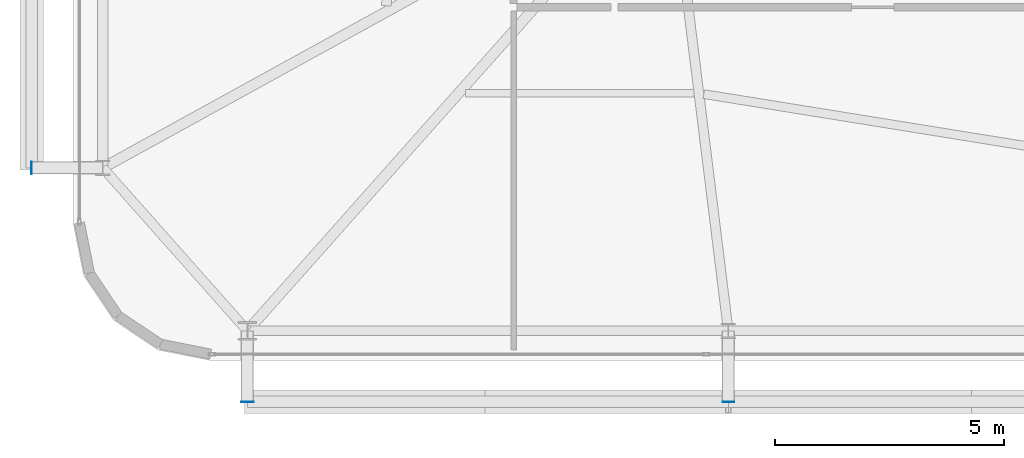
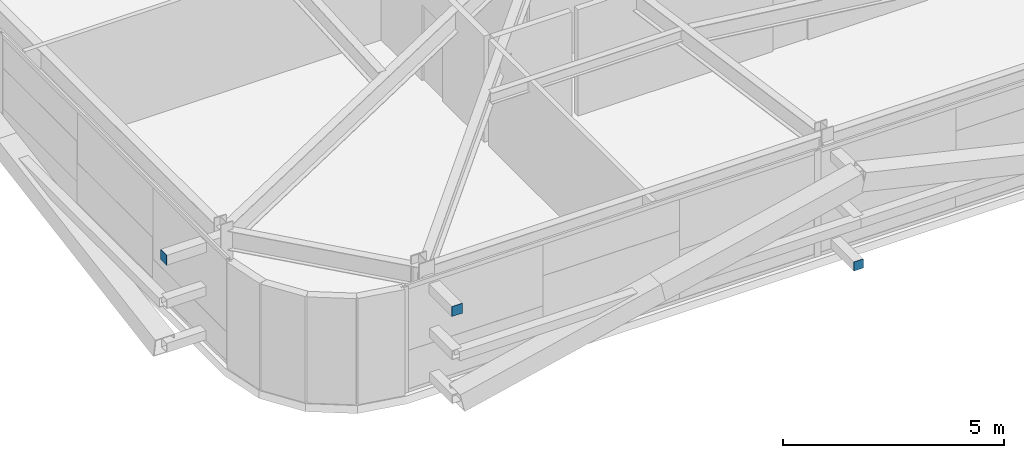
# One storey, part 31 of 44: 3 plates.
"""IFC4 building model written with IfcOpenShell, lengths in metres."""

import ifcopenshell
import ifcopenshell.guid

model = None  # the IFC model being written
_history = None  # IfcOwnerHistory: only IFC2X3 demands one
_inside = {}  # id of a spatial element -> (the spatial element, [elements in it])
_under = {}  # id of a project, library or spatial element -> (it, [spatial elements below it])
_declared = {}  # id of a project -> (the project, [libraries it declares])
_typed = {}  # id of a type object -> (the type object, [elements of that type])
_made_of = {}  # id of a material, layer set ... -> (it, [elements and type objects made of it])


def new_model(schema):
    """Start an empty IFC model of exactly this schema.

    Asked for "IFC4X3", IfcOpenShell would pick the latest addendum, in which some entities
    have other attributes; the version numbers below select the first issue.
    IFC2X3 requires an IfcOwnerHistory on every rooted entity: one is made here for all.
    """
    global model, _history
    if schema == "IFC4X3":
        model = ifcopenshell.file(schema_version=(4, 3, 0, 0))
    else:
        model = ifcopenshell.file(schema=schema)
    _inside.clear()
    _under.clear()
    _declared.clear()
    _typed.clear()
    _made_of.clear()
    _history = None
    if model.schema == "IFC2X3":
        org = make("IfcOrganization", Name="unknown")
        user = make(
            "IfcPersonAndOrganization",
            ThePerson=make("IfcPerson", FamilyName="unknown"),
            TheOrganization=org,
        )
        app = make(
            "IfcApplication",
            ApplicationDeveloper=org,
            Version="unknown",
            ApplicationFullName="unknown",
            ApplicationIdentifier="unknown",
        )
        _history = make(
            "IfcOwnerHistory",
            OwningUser=user,
            OwningApplication=app,
            ChangeAction="ADDED",
            CreationDate=0,
        )
    return model


def make(cls, **values):
    """One entity of the class cls with the attributes given. An attribute that is None is left unset."""
    return model.create_entity(
        cls, **{name: value for name, value in values.items() if value is not None}
    )


def rooted(cls, **values):
    """An entity with a GlobalId (a new one), such as an element, a storey or a relation."""
    return make(cls, GlobalId=ifcopenshell.guid.new(), OwnerHistory=_history, **values)


def si_unit(unit_type, name, prefix=None):
    """IfcSIUnit, for example si_unit("LENGTHUNIT", "METRE", prefix="MILLI")."""
    return make("IfcSIUnit", UnitType=unit_type, Prefix=prefix, Name=name)


def assignment(units):
    """IfcUnitAssignment: the units of a project."""
    return None if units is None else make("IfcUnitAssignment", Units=units)


def point(xyz):
    """IfcCartesianPoint."""
    return None if xyz is None else make("IfcCartesianPoint", Coordinates=xyz)


def direction(xyz):
    """IfcDirection."""
    return None if xyz is None else make("IfcDirection", DirectionRatios=xyz)


def frame(location, z_axis=None, x_axis=None):
    """IfcAxis2Placement3D, a coordinate frame: its origin and axes. An axis left out is left unset."""
    return make(
        "IfcAxis2Placement3D",
        Location=point(location),
        Axis=direction(z_axis),
        RefDirection=direction(x_axis),
    )


def frame_2d(location, x_axis=None):
    """IfcAxis2Placement2D, a coordinate frame in the plane: its origin and x axis."""
    return make(
        "IfcAxis2Placement2D", Location=point(location), RefDirection=direction(x_axis)
    )


def origin():
    """The frame at (0, 0, 0) with its axes left unset."""
    return frame((0.0, 0.0, 0.0))


def origin_2d():
    """The frame at (0, 0) in the plane with its x axis left unset."""
    return frame_2d((0.0, 0.0))


def place(relative_to, where):
    """IfcLocalPlacement: puts the frame where relative to a parent placement (None: the world)."""
    return make(
        "IfcLocalPlacement", PlacementRelTo=relative_to, RelativePlacement=where
    )


def context(
    kind, dimensions, precision=None, world=None, true_north=None, identifier=None
):
    """IfcGeometricRepresentationContext, for example the 3D "Model" context."""
    return make(
        "IfcGeometricRepresentationContext",
        ContextIdentifier=identifier,
        ContextType=kind,
        CoordinateSpaceDimension=dimensions,
        Precision=precision,
        WorldCoordinateSystem=world,
        TrueNorth=true_north,
    )


def subcontext(parent, identifier, kind, view, scale=None):
    """IfcGeometricRepresentationSubContext, for example "Body" below "Model"."""
    return make(
        "IfcGeometricRepresentationSubContext",
        ContextIdentifier=identifier,
        ContextType=kind,
        ParentContext=parent,
        TargetScale=scale,
        TargetView=view,
    )


def project(units=None, contexts=None):
    """IfcProject with its units and contexts."""
    return rooted(
        "IfcProject",
        Name="project",
        RepresentationContexts=contexts,
        UnitsInContext=assignment(units),
    )


def spatial(cls, under=None, at=None, **own):
    """A site, building, storey or space (cls), placed at a placement, below another one or the project."""
    s = rooted(cls, ObjectPlacement=at, **own)
    if under is not None:
        _under.setdefault(under.id(), (under, []))[1].append(s)
    return s


def profile(cls, at=None, kind="AREA", **sizes):
    """A parametric profile (cls). Its sizes go by their IFC names, for example OverallWidth=200.0."""
    return make(cls, ProfileType=kind, Position=at, **sizes)


def rectangle(**sizes):
    """IfcRectangleProfileDef."""
    return profile("IfcRectangleProfileDef", **sizes)


def extrude(swept, where, along, depth):
    """IfcExtrudedAreaSolid: the profile swept, set in the frame where, extruded along a direction by depth."""
    return make(
        "IfcExtrudedAreaSolid",
        SweptArea=swept,
        Position=where,
        ExtrudedDirection=direction(along),
        Depth=depth,
    )


def shape(context_of_items, identifier, shape_type, items):
    """IfcShapeRepresentation: the items that make up one representation, for example the "Body"."""
    return make(
        "IfcShapeRepresentation",
        ContextOfItems=context_of_items,
        RepresentationIdentifier=identifier,
        RepresentationType=shape_type,
        Items=items,
    )


def source(mapping_origin, context_of_items, identifier, shape_type, items):
    """IfcRepresentationMap: a shape defined once, which mapped items show again and again."""
    return make(
        "IfcRepresentationMap",
        MappingOrigin=mapping_origin,
        MappedRepresentation=shape(context_of_items, identifier, shape_type, items),
    )


def transform(
    local_origin,
    x_axis=None,
    y_axis=None,
    z_axis=None,
    scale=None,
    scale2=None,
    scale3=None,
    uniform=True,
):
    """IfcCartesianTransformationOperator3D, or its non-uniform kind. x_axis, y_axis, z_axis: its Axis1, 2, 3."""
    if uniform:
        return make(
            "IfcCartesianTransformationOperator3D",
            Axis1=direction(x_axis),
            Axis2=direction(y_axis),
            LocalOrigin=point(local_origin),
            Scale=scale,
            Axis3=direction(z_axis),
        )
    return make(
        "IfcCartesianTransformationOperator3DnonUniform",
        Axis1=direction(x_axis),
        Axis2=direction(y_axis),
        LocalOrigin=point(local_origin),
        Scale=scale,
        Axis3=direction(z_axis),
        Scale2=scale2,
        Scale3=scale3,
    )


def mapped(mapping_source, mapping_target):
    """IfcMappedItem: shows the shape of a source again, moved by a transform."""
    return make(
        "IfcMappedItem", MappingSource=mapping_source, MappingTarget=mapping_target
    )


def material(Name=None, Category=None):
    """IfcMaterial."""
    return make("IfcMaterial", Name=Name, Category=Category)


def layer(
    of_material, thickness, ventilated=None, Name=None, Category=None, Priority=None
):
    """IfcMaterialLayer: one layer of a wall or slab, of a material (None: an air gap)."""
    return make(
        "IfcMaterialLayer",
        Material=of_material,
        LayerThickness=thickness,
        IsVentilated=ventilated,
        Name=Name,
        Category=Category,
        Priority=Priority,
    )


def layer_set(layers, Name=None):
    """IfcMaterialLayerSet."""
    return make("IfcMaterialLayerSet", MaterialLayers=layers, LayerSetName=Name)


def made_of(thing, what):
    """Note that an element or type object is made of a material, layer set ...; save() writes the relation."""
    if what is not None:
        _made_of.setdefault(what.id(), (what, []))[1].append(thing)
    return thing


def type_object(cls, material=None, **own):
    """A type object (cls), such as IfcWallType, which elements share."""
    return made_of(rooted(cls, **own), material)


def element(
    cls,
    number,
    at=None,
    inside=None,
    cuts=None,
    type_object=None,
    material=None,
    context=None,
    identifier="Body",
    shape_type=None,
    held_by="IfcProductDefinitionShape",
    body=None,
    shapes=None,
    **own,
):
    """One element of the class cls, such as IfcWall. Its Tag is "e" and its number.

    at: its placement. inside: the storey or other place that contains it. cuts: it is an
    opening in that element (IfcRelVoidsElement). A single representation is given by context,
    identifier, shape_type and body (its items); several are given by shapes. held_by: the class
    of the entity that holds the representations. save() writes the other relations.
    """
    e = rooted(cls, Tag="e%d" % number, ObjectPlacement=at, **own)
    if body is not None:
        shapes = [shape(context, identifier, shape_type, body)]
    if shapes is not None:
        e.Representation = make(held_by, Representations=shapes)
    if inside is not None:
        _inside.setdefault(inside.id(), (inside, []))[1].append(e)
    if cuts is not None:
        rooted(
            "IfcRelVoidsElement", RelatingBuildingElement=cuts, RelatedOpeningElement=e
        )
    if type_object is not None:
        _typed.setdefault(type_object.id(), (type_object, []))[1].append(e)
    return made_of(e, material)


def aggregate(whole, parts):
    """IfcRelAggregates: a whole, such as a stair, and the parts it consists of."""
    return rooted("IfcRelAggregates", RelatingObject=whole, RelatedObjects=parts)


def save(model, path):
    """Write the relations noted so far, then the file.

    IfcRelAggregates (storeys below a building ...), IfcRelContainedInSpatialStructure (elements
    in a storey), IfcRelDefinesByType, IfcRelAssociatesMaterial and IfcRelDeclares: one each for
    every whole, place, type object, material and project.
    """
    for whole, parts in _under.values():
        aggregate(whole, parts)
    for where, things in _inside.values():
        rooted(
            "IfcRelContainedInSpatialStructure",
            RelatedElements=things,
            RelatingStructure=where,
        )
    for kind, things in _typed.values():
        rooted("IfcRelDefinesByType", RelatedObjects=things, RelatingType=kind)
    for what, things in _made_of.values():
        rooted("IfcRelAssociatesMaterial", RelatedObjects=things, RelatingMaterial=what)
    for by, libraries in _declared.values():
        rooted("IfcRelDeclares", RelatingContext=by, RelatedDefinitions=libraries)
    model.write(path)


model = new_model("IFC4")

# Units and contexts
model_context = context("Model", 3, precision=1e-05, world=origin(), true_north=direction((0.0, 1.0)))
body_context = subcontext(model_context, "Body", "Model", "MODEL_VIEW")
ifc_project = project(units=[si_unit("LENGTHUNIT", "METRE"), si_unit("AREAUNIT", "SQUARE_METRE"), si_unit("VOLUMEUNIT", "CUBIC_METRE"), si_unit("PLANEANGLEUNIT", "RADIAN"), si_unit("MASSUNIT", "GRAM", prefix="KILO")], contexts=[model_context])

# Site, building, storey
site_placement = place(None, origin())
site = spatial("IfcSite", under=ifc_project, at=site_placement, CompositionType="ELEMENT")
building_placement = place(site_placement, origin())
building = spatial("IfcBuilding", under=site, at=building_placement, Name="Taldren Reach Tower", CompositionType="ELEMENT")
storey_placement = place(building_placement, frame((0.0, 0.0, 42.0)))
storey = spatial("IfcBuildingStorey", under=building, at=storey_placement, Name="L12", CompositionType="ELEMENT", Elevation=42.0)

# Plates
ifc_material_1 = material(Name="Steel Gr 450 (C450L0)", Category="steel")
ifc_layer_1 = layer(ifc_material_1, 0.011962890625)
ifc_layer_set_1 = layer_set([ifc_layer_1], Name="Steel Gr 450 (C450L0)")
plate_type_1 = type_object("IfcPlateType", Name="PL-CAP-275", PredefinedType="SHEET", material=ifc_layer_set_1)
shared_shape_1 = source(origin(), body_context, "Body", "SweptSolid", [
    extrude(rectangle(XDim=0.27490234375, YDim=0.011962890625, at=origin_2d()), origin(), (0.0, 0.0, 1.0), 0.27490234375),
])
plate_1_placement = place(storey_placement, frame((8.800048828125, 0.593994140625, 2.512451171875), z_axis=(0.0, 0.0, 1.0), x_axis=(1.0, 0.0, 0.0)))
element("IfcPlate", 1, at=plate_1_placement, inside=storey, type_object=plate_type_1, Name="Tie strut end cap plate B1-S1 L12", PredefinedType="SHEET", context=body_context, shape_type="MappedRepresentation", body=[
    mapped(shared_shape_1, transform((0.0, 0.0, 0.0), scale=1.0)),
])
shared_shape_2 = source(origin(), body_context, "Body", "SweptSolid", [
    extrude(rectangle(XDim=0.011962890625, YDim=0.27490234375, at=origin_2d()), origin(), (0.0, 0.0, 1.0), 0.27490234375),
])
plate_2_placement = place(storey_placement, frame((4.093994140625, 5.699951171875, 2.512451171875), z_axis=(0.0, 0.0, 1.0), x_axis=(1.0, 0.0, 0.0)))
element("IfcPlate", 2, at=plate_2_placement, inside=storey, type_object=plate_type_1, Name="Tie strut end cap plate B1-W1 L12", PredefinedType="SHEET", context=body_context, shape_type="MappedRepresentation", body=[
    mapped(shared_shape_2, transform((0.0, 0.0, 0.0), scale=1.0)),
])
ifc_material_2 = material(Name="Steel Gr 350 (C350L0)", Category="steel")
ifc_layer_2 = layer(ifc_material_2, 0.011962890625)
ifc_layer_set_2 = layer_set([ifc_layer_2], Name="Steel Gr 350 (C350L0)")
plate_type_2 = type_object("IfcPlateType", Name="PL-CAP-250", PredefinedType="SHEET", material=ifc_layer_set_2)
shared_shape_3 = source(origin(), body_context, "Body", "SweptSolid", [
    extrude(rectangle(XDim=0.25, YDim=0.011962890625, at=origin_2d()), origin(), (0.0, 0.0, 1.0), 0.25),
])
plate_3_placement = place(storey_placement, frame((19.280029296875, 0.593994140625, 0.094970703125), z_axis=(0.0, 0.0, 1.0), x_axis=(1.0, 0.0, 0.0)))
element("IfcPlate", 3, at=plate_3_placement, inside=storey, type_object=plate_type_2, Name="Tie strut end cap plate B1-S2 L12", PredefinedType="SHEET", context=body_context, shape_type="MappedRepresentation", body=[
    mapped(shared_shape_3, transform((0.0, 0.0, 0.0), scale=1.0)),
])

save(model, "model.ifc")
